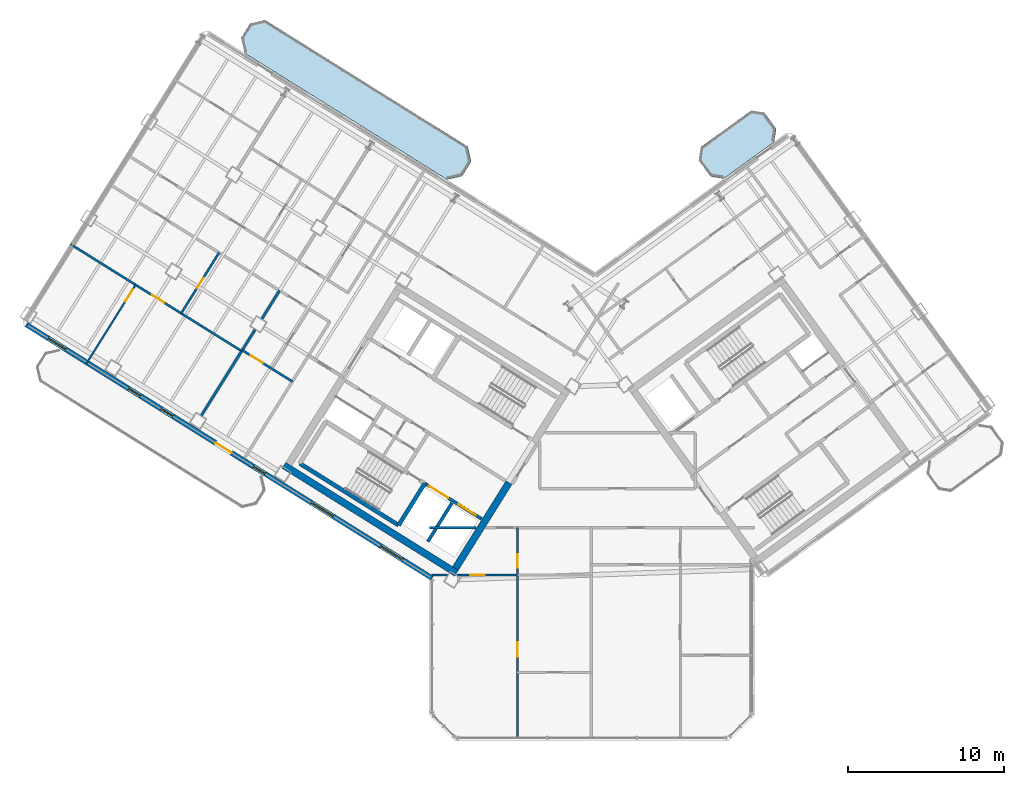
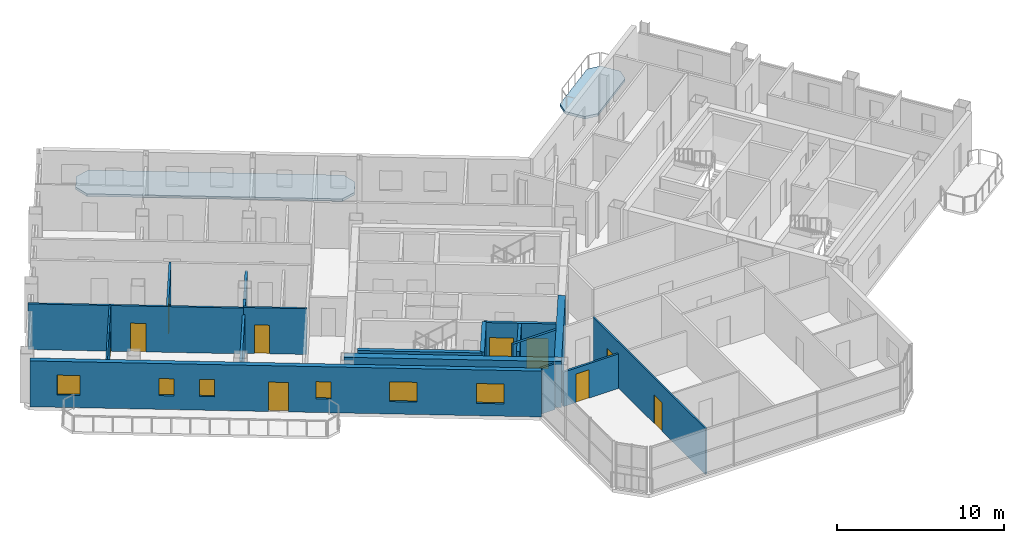
# One storey, part 11 of 21: 17 walls, 10 doors, 6 windows, 2 slabs, 16 openings.
"""IFC4 building model written with IfcOpenShell, lengths in metres."""

from ifc_helpers import new_model, si_unit, direction, frame, frame_2d, origin, place, context, subcontext, project, spatial, polyline, rectangle, outline, extrude, source, transform, mapped, material, layer, layer_set, type_object, element, fill, save


model = new_model("IFC4")

# Units and contexts
model_context = context("Model", 3, precision=1e-05, world=origin(), true_north=direction((0.0, 1.0)))
body_context = subcontext(model_context, "Body", "Model", "MODEL_VIEW")
ifc_project = project(units=[si_unit("LENGTHUNIT", "METRE"), si_unit("AREAUNIT", "SQUARE_METRE"), si_unit("VOLUMEUNIT", "CUBIC_METRE"), si_unit("PLANEANGLEUNIT", "RADIAN"), si_unit("MASSUNIT", "GRAM", prefix="KILO")], contexts=[model_context])

# Site, building, storey
site_placement = place(None, origin())
site = spatial("IfcSite", under=ifc_project, at=site_placement, CompositionType="ELEMENT")
building_placement = place(site_placement, origin())
building = spatial("IfcBuilding", under=site, at=building_placement, Name="Tlacorven Tower", CompositionType="ELEMENT")
storey_placement = place(building_placement, frame((0.0, 0.0, 222.0)))
storey = spatial("IfcBuildingStorey", under=building, at=storey_placement, Name="L56", CompositionType="ELEMENT", Elevation=222.0)

# Slabs
ifc_material_1 = material(Name="Precast concrete C45/55", Category="concrete")
ifc_layer_1 = layer(ifc_material_1, 0.179931640625)
ifc_layer_set_1 = layer_set([ifc_layer_1], Name="Precast concrete C45/55")
slab_type = type_object("IfcSlabType", Name="SL-BAL-180", PredefinedType="USERDEFINED", material=ifc_layer_set_1)
slab_1_placement = place(storey_placement, frame((0.0, 0.0, -0.179931640625)))
element("IfcSlab", 1, at=slab_1_placement, inside=storey, type_object=slab_type, Name="L56 West Wing Balcony Ribbon IN", ObjectType="BALCONY SLAB", PredefinedType="USERDEFINED", context=body_context, shape_type="SweptSolid", body=[
    extrude(outline(polyline([(34.0419921875, 39.835693359375), (21.06689453125, 47.943359375), (20.102294921875, 47.720703125), (19.52197265625, 46.7919921875), (19.744873046875, 45.827392578125), (32.719970703125, 37.7197265625), (33.6845703125, 37.9423828125), (34.2646484375, 38.87109375), (34.0419921875, 39.835693359375)])), origin(), (0.0, 0.0, 1.0), 0.179931640625),
])
slab_2_placement = place(storey_placement, frame((0.0, 0.0, -0.179931640625)))
element("IfcSlab", 2, at=slab_2_placement, inside=storey, type_object=slab_type, Name="L56 East Wing Balcony Ribbon IN", ObjectType="BALCONY SLAB", PredefinedType="USERDEFINED", context=body_context, shape_type="SweptSolid", body=[
    extrude(outline(polyline([(50.433837890625, 37.77880859375), (53.669921875, 40.1298828125), (53.802490234375, 40.968017578125), (53.04150390625, 42.015625), (52.203369140625, 42.1484375), (48.96728515625, 39.79736328125), (48.83447265625, 38.959228515625), (49.595703125, 37.91162109375), (50.433837890625, 37.77880859375)])), origin(), (0.0, 0.0, 1.0), 0.179931640625),
])

# Walls
ifc_material_2 = material(Name="Concrete C50/60", Category="concrete")
ifc_layer_2 = layer(ifc_material_2, 0.449951171875)
ifc_layer_set_2 = layer_set([ifc_layer_2], Name="Concrete C50/60")
wall_type_1 = type_object("IfcWallType", Name="WL-COR-450", PredefinedType="SHEAR", material=ifc_layer_set_2)
wall_1_placement = place(storey_placement, frame((33.32373046875, 12.5029296875, 0.0), z_axis=(0.0, 0.0, 1.0), x_axis=(-0.848043529849, 0.529926571782, 0.0)))
element("IfcWall", 3, at=wall_1_placement, inside=storey, type_object=wall_type_1, Name="L56 W core shear wall S2", PredefinedType="SHEAR", context=body_context, shape_type="SweptSolid", body=[
    extrude(rectangle(XDim=13.039794921875, YDim=0.449951171875, at=frame_2d((6.52001953125, 0.0))), origin(), (0.0, 0.0, 1.0), 3.35009765625),
])
wall_2_placement = place(storey_placement, frame((36.683349609375, 18.30419921875, 0.0), z_axis=(0.0, 0.0, 1.0), x_axis=(-0.529904039071, -0.848057609704, 0.0)))
element("IfcWall", 4, at=wall_2_placement, inside=storey, type_object=wall_type_1, Name="L56 W core end wall E1.2", PredefinedType="SHEAR", context=body_context, shape_type="SweptSolid", body=[
    extrude(rectangle(XDim=6.47509765625, YDim=0.449951171875, at=frame_2d((3.237548828125, 0.0))), origin(), (0.0, 0.0, 1.0), 3.35009765625),
])
ifc_material_3 = material(Name="Gypsum plasterboard acoustic partition", Category="gypsum")
ifc_layer_3 = layer(ifc_material_3, 0.159912109375)
ifc_layer_set_3 = layer_set([ifc_layer_3], Name="Gypsum plasterboard acoustic partition")
wall_type_2 = type_object("IfcWallType", Name="WL-DEM-160", PredefinedType="PARTITIONING", material=ifc_layer_set_3)
wall_3_placement = place(storey_placement, frame((21.9833984375, 30.614501953125, 0.0), z_axis=(0.0, 0.0, 1.0), x_axis=(-0.529978410432, -0.848011134641, 0.0)))
element("IfcWall", 5, at=wall_3_placement, inside=storey, type_object=wall_type_2, Name="L56 WN Demising Wall 1", PredefinedType="PARTITIONING", context=body_context, shape_type="SweptSolid", body=[
    extrude(rectangle(XDim=2.137939453125, YDim=0.159912109375, at=frame_2d((1.06884765625, 0.0))), origin(), (0.0, 0.0, 1.0), 2.824951171875),
])
wall_4_placement = place(storey_placement, frame((20.413818359375, 28.102783203125, 0.0), z_axis=(0.0, 0.0, 1.0), x_axis=(-0.529934553702, -0.848038542045, 0.0)))
element("IfcWall", 6, at=wall_4_placement, inside=storey, type_object=wall_type_2, Name="L56 WN Demising Wall 1", PredefinedType="PARTITIONING", context=body_context, shape_type="SweptSolid", body=[
    extrude(rectangle(XDim=6.47607421875, YDim=0.159912109375, at=frame_2d((3.238037109375, 0.0))), origin(), (0.0, 0.0, 1.0), 2.824951171875),
])
wall_5_placement = place(storey_placement, frame((31.60009765625, 15.419921875, 0.0), z_axis=(0.0, 0.0, 1.0), x_axis=(1.0, 0.0, 0.0)))
element("IfcWall", 7, at=wall_5_placement, inside=storey, type_object=wall_type_2, Name="L56 Knuckle Corridor South Wall", PredefinedType="PARTITIONING", context=body_context, shape_type="SweptSolid", body=[
    extrude(rectangle(XDim=2.984130859375, YDim=0.159912109375, at=frame_2d((1.4921875, 0.0))), origin(), (0.0, 0.0, 1.0), 3.340087890625),
])

# Wall, openings, door, windows
ifc_layer_4 = layer(ifc_material_1, 0.320068359375)
ifc_layer_set_4 = layer_set([ifc_layer_4], Name="Precast concrete C45/55")
wall_type_3 = type_object("IfcWallType", Name="WL-EXT-320", PredefinedType="STANDARD", material=ifc_layer_set_4)
wall_6_placement = place(storey_placement, frame((31.760009765625, 12.18310546875, 0.0), z_axis=(0.0, 0.0, 1.0), x_axis=(-0.848047074256, 0.529920899612, 0.0)))
wall_6 = element("IfcWall", 8, at=wall_6_placement, inside=storey, type_object=wall_type_3, Name="L56 Masonry-Frame Recessed Facade Wall 1", PredefinedType="STANDARD", context=body_context, shape_type="SweptSolid", body=[
    extrude(rectangle(XDim=30.652099609375, YDim=0.320068359375, at=frame_2d((15.326171875, 0.0))), origin(), (0.0, 0.0, 1.0), 3.35009765625),
])
opening_1_placement = place(wall_6_placement, frame((15.165771484375, 0.0, 0.0)))
opening_1 = element("IfcOpeningElement", 9, at=opening_1_placement, cuts=wall_6, Name="Opening D05", PredefinedType="OPENING", context=body_context, shape_type="SweptSolid", body=[
    extrude(rectangle(XDim=1.199951171875, YDim=2.14990234375, at=frame_2d((0.60009765625, 1.074951171875))), frame((0.0, 0.169921875, 0.0), z_axis=(0.0, -1.0, 0.0), x_axis=(1.0, 0.0, 0.0)), (0.0, 0.0, 1.0), 0.340087890625),
])
opening_2_placement = place(wall_6_placement, frame((2.239501953125, 0.0, 0.89990234375)))
opening_2 = element("IfcOpeningElement", 10, at=opening_2_placement, cuts=wall_6, Name="Opening WN07", PredefinedType="OPENING", context=body_context, shape_type="SweptSolid", body=[
    extrude(rectangle(XDim=1.64990234375, YDim=1.449951171875, at=frame_2d((0.824951171875, 0.72509765625))), frame((0.0, 0.169921875, 0.0), z_axis=(0.0, -1.0, 0.0), x_axis=(1.0, 0.0, 0.0)), (0.0, 0.0, 1.0), 0.340087890625),
])
opening_3_placement = place(wall_6_placement, frame((7.46875, 0.0, 0.89990234375)))
opening_3 = element("IfcOpeningElement", 11, at=opening_3_placement, cuts=wall_6, Name="Opening WN07", PredefinedType="OPENING", context=body_context, shape_type="SweptSolid", body=[
    extrude(rectangle(XDim=1.64990234375, YDim=1.449951171875, at=frame_2d((0.824951171875, 0.72509765625))), frame((0.0, 0.169921875, 0.0), z_axis=(0.0, -1.0, 0.0), x_axis=(1.0, 0.0, 0.0)), (0.0, 0.0, 1.0), 0.340087890625),
])
opening_4_placement = place(wall_6_placement, frame((12.623291015625, 0.0, 1.0)))
opening_4 = element("IfcOpeningElement", 12, at=opening_4_placement, cuts=wall_6, Name="Opening WN05", PredefinedType="OPENING", context=body_context, shape_type="SweptSolid", body=[
    extrude(rectangle(XDim=0.89990234375, YDim=1.25, at=frame_2d((0.449951171875, 0.625))), frame((0.0, 0.169921875, 0.0), z_axis=(0.0, -1.0, 0.0), x_axis=(1.0, 0.0, 0.0)), (0.0, 0.0, 1.0), 0.340087890625),
])
opening_5_placement = place(wall_6_placement, frame((19.583251953125, 0.0, 1.0)))
opening_5 = element("IfcOpeningElement", 13, at=opening_5_placement, cuts=wall_6, Name="Opening WN05", PredefinedType="OPENING", context=body_context, shape_type="SweptSolid", body=[
    extrude(rectangle(XDim=0.89990234375, YDim=1.25, at=frame_2d((0.449951171875, 0.625))), frame((0.0, 0.169921875, 0.0), z_axis=(0.0, -1.0, 0.0), x_axis=(1.0, 0.0, 0.0)), (0.0, 0.0, 1.0), 0.340087890625),
])
opening_6_placement = place(wall_6_placement, frame((22.033203125, 0.0, 1.0)))
opening_6 = element("IfcOpeningElement", 14, at=opening_6_placement, cuts=wall_6, Name="Opening WN05", PredefinedType="OPENING", context=body_context, shape_type="SweptSolid", body=[
    extrude(rectangle(XDim=0.89990234375, YDim=1.25, at=frame_2d((0.449951171875, 0.625))), frame((0.0, 0.169921875, 0.0), z_axis=(0.0, -1.0, 0.0), x_axis=(1.0, 0.0, 0.0)), (0.0, 0.0, 1.0), 0.340087890625),
])
opening_7_placement = place(wall_6_placement, frame((27.665771484375, 0.0, 0.89990234375)))
opening_7 = element("IfcOpeningElement", 15, at=opening_7_placement, cuts=wall_6, Name="Opening WN08", PredefinedType="OPENING", context=body_context, shape_type="SweptSolid", body=[
    extrude(rectangle(XDim=1.35009765625, YDim=1.449951171875, at=frame_2d((0.675048828125, 0.72509765625))), frame((0.0, 0.169921875, 0.0), z_axis=(0.0, -1.0, 0.0), x_axis=(1.0, 0.0, 0.0)), (0.0, 0.0, 1.0), 0.340087890625),
])
ifc_material_4 = material(Name="Powder-coated aluminium and timber door", Category="wood")
door_type_1 = type_object("IfcDoorType", Name="DR-EXT-BALC-1200", OperationType="NOTDEFINED", PredefinedType="DOOR", material=ifc_material_4)
shared_shape_1 = source(origin(), body_context, "Body", "SweptSolid", [
    extrude(rectangle(XDim=1.199951171875, YDim=2.14990234375, at=frame_2d((0.60009765625, 1.074951171875))), frame((0.0, 0.02490234375, 0.0), z_axis=(0.0, -1.0, 0.0), x_axis=(1.0, 0.0, 0.0)), (0.0, 0.0, 1.0), 0.050048828125),
])
door_1_placement = place(opening_1_placement, origin())
door_1 = element("IfcDoor", 16, at=door_1_placement, inside=storey, type_object=door_type_1, Name="L56 Outdoor Access Door BAL-L56-W-OUT", OperationType="SINGLE_SWING_LEFT", OverallHeight=2.14990234375, OverallWidth=1.199951171875, PredefinedType="DOOR", context=body_context, shape_type="MappedRepresentation", body=[
    mapped(shared_shape_1, transform((0.0, 0.0, 0.0), scale=1.0)),
])
fill(opening_1, door_1)
ifc_material_5 = material(Name="Dark solar low-E double glazing in anodised aluminium frame", Category="aluminium")
window_type_1 = type_object("IfcWindowType", Name="WN-APT-0900X1350", PartitioningType="SINGLE_PANEL", PredefinedType="WINDOW", material=ifc_material_5)
shared_shape_2 = source(origin(), body_context, "Body", "SweptSolid", [
    extrude(rectangle(XDim=0.89990234375, YDim=1.25, at=frame_2d((0.449951171875, 0.625))), frame((0.0, 0.030029296875, 0.0), z_axis=(0.0, -1.0, 0.0), x_axis=(1.0, 0.0, 0.0)), (0.0, 0.0, 1.0), 0.06005859375),
])
window_1_placement = place(opening_4_placement, origin())
window_1 = element("IfcWindow", 17, at=window_1_placement, inside=storey, type_object=window_type_1, Name="L56 Recessed Masonry-Frame Window L56-01.3", OverallHeight=1.25, OverallWidth=0.89990234375, PartitioningType="SINGLE_PANEL", PredefinedType="WINDOW", context=body_context, shape_type="MappedRepresentation", body=[
    mapped(shared_shape_2, transform((0.0, 0.0, 0.0), scale=1.0)),
])
fill(opening_4, window_1)
window_2_placement = place(opening_5_placement, origin())
window_2 = element("IfcWindow", 18, at=window_2_placement, inside=storey, type_object=window_type_1, Name="L56 Recessed Masonry-Frame Window L56-01.4", OverallHeight=1.25, OverallWidth=0.89990234375, PartitioningType="SINGLE_PANEL", PredefinedType="WINDOW", context=body_context, shape_type="MappedRepresentation", body=[
    mapped(shared_shape_2, transform((0.0, 0.0, 0.0), scale=1.0)),
])
fill(opening_5, window_2)
window_3_placement = place(opening_6_placement, origin())
window_3 = element("IfcWindow", 19, at=window_3_placement, inside=storey, type_object=window_type_1, Name="L56 Recessed Masonry-Frame Window L56-01.5", OverallHeight=1.25, OverallWidth=0.89990234375, PartitioningType="SINGLE_PANEL", PredefinedType="WINDOW", context=body_context, shape_type="MappedRepresentation", body=[
    mapped(shared_shape_2, transform((0.0, 0.0, 0.0), scale=1.0)),
])
fill(opening_6, window_3)
window_type_2 = type_object("IfcWindowType", Name="WN-APT-1650X1600", PartitioningType="SINGLE_PANEL", PredefinedType="WINDOW", material=ifc_material_5)
shared_shape_3 = source(origin(), body_context, "Body", "SweptSolid", [
    extrude(rectangle(XDim=1.64990234375, YDim=1.449951171875, at=frame_2d((0.824951171875, 0.72509765625))), frame((0.0, 0.030029296875, 0.0), z_axis=(0.0, -1.0, 0.0), x_axis=(1.0, 0.0, 0.0)), (0.0, 0.0, 1.0), 0.06005859375),
])
window_4_placement = place(opening_2_placement, origin())
window_4 = element("IfcWindow", 20, at=window_4_placement, inside=storey, type_object=window_type_2, Name="L56 Recessed Masonry-Frame Window L56-01.1", OverallHeight=1.449951171875, OverallWidth=1.64990234375, PartitioningType="SINGLE_PANEL", PredefinedType="WINDOW", context=body_context, shape_type="MappedRepresentation", body=[
    mapped(shared_shape_3, transform((0.0, 0.0, 0.0), scale=1.0)),
])
fill(opening_2, window_4)
window_5_placement = place(opening_3_placement, origin())
window_5 = element("IfcWindow", 21, at=window_5_placement, inside=storey, type_object=window_type_2, Name="L56 Recessed Masonry-Frame Window L56-01.2", OverallHeight=1.449951171875, OverallWidth=1.64990234375, PartitioningType="SINGLE_PANEL", PredefinedType="WINDOW", context=body_context, shape_type="MappedRepresentation", body=[
    mapped(shared_shape_3, transform((0.0, 0.0, 0.0), scale=1.0)),
])
fill(opening_3, window_5)
window_type_3 = type_object("IfcWindowType", Name="WN-APT-1350X1550", PartitioningType="SINGLE_PANEL", PredefinedType="WINDOW", material=ifc_material_5)
shared_shape_4 = source(origin(), body_context, "Body", "SweptSolid", [
    extrude(rectangle(XDim=1.35009765625, YDim=1.449951171875, at=frame_2d((0.675048828125, 0.72509765625))), frame((0.0, 0.030029296875, 0.0), z_axis=(0.0, -1.0, 0.0), x_axis=(1.0, 0.0, 0.0)), (0.0, 0.0, 1.0), 0.06005859375),
])
window_6_placement = place(opening_7_placement, origin())
window_6 = element("IfcWindow", 22, at=window_6_placement, inside=storey, type_object=window_type_3, Name="L56 Recessed Masonry-Frame Window L56-01.6", OverallHeight=1.449951171875, OverallWidth=1.35009765625, PartitioningType="SINGLE_PANEL", PredefinedType="WINDOW", context=body_context, shape_type="MappedRepresentation", body=[
    mapped(shared_shape_4, transform((0.0, 0.0, 0.0), scale=1.0)),
])
fill(opening_7, window_6)

# Wall, opening, door
ifc_material_6 = material(Name="Gypsum plasterboard partition", Category="gypsum")
ifc_layer_5 = layer(ifc_material_6, 0.110107421875)
ifc_layer_set_5 = layer_set([ifc_layer_5], Name="Gypsum plasterboard partition")
wall_type_4 = type_object("IfcWallType", Name="WL-INT-110", PredefinedType="PARTITIONING", material=ifc_layer_set_5)
wall_7_placement = place(storey_placement, frame((12.763427734375, 30.97509765625, 0.0), z_axis=(0.0, 0.0, 1.0), x_axis=(-0.529947646893, -0.848030360042, 0.0)))
wall_7 = element("IfcWall", 23, at=wall_7_placement, inside=storey, type_object=wall_type_4, Name="L56 partition 50", PredefinedType="PARTITIONING", context=body_context, shape_type="SweptSolid", body=[
    extrude(rectangle(XDim=5.98974609375, YDim=0.110107421875, at=frame_2d((2.994873046875, 0.0))), origin(), (0.0, 0.0, 1.0), 3.340087890625),
])
opening_8_placement = place(wall_7_placement, frame((0.35009765625, 0.0, 0.0)))
opening_8 = element("IfcOpeningElement", 24, at=opening_8_placement, cuts=wall_7, Name="Opening D12", PredefinedType="OPENING", context=body_context, shape_type="SweptSolid", body=[
    extrude(rectangle(XDim=0.919921875, YDim=2.080078125, at=frame_2d((0.4599609375, 1.0400390625))), frame((0.0, 0.06494140625, 0.0), z_axis=(0.0, -1.0, 0.0), x_axis=(1.0, 0.0, 0.0)), (0.0, 0.0, 1.0), 0.130126953125),
])
door_type_2 = type_object("IfcDoorType", Name="DR-INT-ROOM-0920", OperationType="NOTDEFINED", PredefinedType="DOOR", material=ifc_material_4)
shared_shape_5 = source(origin(), body_context, "Body", "SweptSolid", [
    extrude(rectangle(XDim=0.919921875, YDim=2.080078125, at=frame_2d((0.4599609375, 1.0400390625))), frame((0.0, 0.02490234375, 0.0), z_axis=(0.0, -1.0, 0.0), x_axis=(1.0, 0.0, 0.0)), (0.0, 0.0, 1.0), 0.050048828125),
])
door_2_placement = place(opening_8_placement, origin())
door_2 = element("IfcDoor", 25, at=door_2_placement, inside=storey, type_object=door_type_2, Name="L56 door 026", OperationType="SINGLE_SWING_LEFT", OverallHeight=2.080078125, OverallWidth=0.919921875, PredefinedType="DOOR", context=body_context, shape_type="MappedRepresentation", body=[
    mapped(shared_shape_5, transform((0.0, 0.0, 0.0), scale=1.0)),
])
fill(opening_8, door_2)

# Wall, openings, doors
wall_8_placement = place(storey_placement, frame((37.221923828125, 1.9599609375, 0.0), z_axis=(0.0, 0.0, 1.0), x_axis=(0.0, 1.0, 0.0)))
wall_8 = element("IfcWall", 26, at=wall_8_placement, inside=storey, type_object=wall_type_4, Name="L56 partition 69", PredefinedType="PARTITIONING", context=body_context, shape_type="SweptSolid", body=[
    extrude(rectangle(XDim=13.4599609375, YDim=0.110107421875, at=frame_2d((6.72998046875, 0.0))), origin(), (0.0, 0.0, 1.0), 3.340087890625),
])
opening_9_placement = place(wall_8_placement, frame((5.199951171875, 0.0, 0.0)))
opening_9 = element("IfcOpeningElement", 27, at=opening_9_placement, cuts=wall_8, Name="Opening D12", PredefinedType="OPENING", context=body_context, shape_type="SweptSolid", body=[
    extrude(rectangle(XDim=0.919921875, YDim=2.080078125, at=frame_2d((0.4599609375, 1.0400390625))), frame((0.0, 0.06494140625, 0.0), z_axis=(0.0, -1.0, 0.0), x_axis=(1.0, 0.0, 0.0)), (0.0, 0.0, 1.0), 0.130126953125),
])
opening_10_placement = place(wall_8_placement, frame((10.889892578125, 0.0, 0.0)))
opening_10 = element("IfcOpeningElement", 28, at=opening_10_placement, cuts=wall_8, Name="Opening D13", PredefinedType="OPENING", context=body_context, shape_type="SweptSolid", body=[
    extrude(rectangle(XDim=0.8798828125, YDim=2.080078125, at=frame_2d((0.43994140625, 1.0400390625))), frame((0.0, 0.06494140625, 0.0), z_axis=(0.0, -1.0, 0.0), x_axis=(1.0, 0.0, 0.0)), (0.0, 0.0, 1.0), 0.130126953125),
])
door_type_3 = type_object("IfcDoorType", Name="DR-INT-WET-0880", OperationType="NOTDEFINED", PredefinedType="DOOR", material=ifc_material_4)
shared_shape_6 = source(origin(), body_context, "Body", "SweptSolid", [
    extrude(rectangle(XDim=0.8798828125, YDim=2.080078125, at=frame_2d((0.43994140625, 1.0400390625))), frame((0.0, 0.02490234375, 0.0), z_axis=(0.0, -1.0, 0.0), x_axis=(1.0, 0.0, 0.0)), (0.0, 0.0, 1.0), 0.050048828125),
])
door_3_placement = place(opening_10_placement, origin())
door_3 = element("IfcDoor", 29, at=door_3_placement, inside=storey, type_object=door_type_3, Name="L56 door 047", OperationType="SINGLE_SWING_RIGHT", OverallHeight=2.080078125, OverallWidth=0.8798828125, PredefinedType="DOOR", context=body_context, shape_type="MappedRepresentation", body=[
    mapped(shared_shape_6, transform((0.0, 0.0, 0.0), scale=1.0)),
])
fill(opening_10, door_3)
door_4_placement = place(opening_9_placement, origin())
door_4 = element("IfcDoor", 30, at=door_4_placement, inside=storey, type_object=door_type_2, Name="L56 door 043", OperationType="SINGLE_SWING_RIGHT", OverallHeight=2.080078125, OverallWidth=0.919921875, PredefinedType="DOOR", context=body_context, shape_type="MappedRepresentation", body=[
    mapped(shared_shape_5, transform((0.0, 0.0, 0.0), scale=1.0)),
])
fill(opening_9, door_4)

# Wall, opening, door
ifc_material_7 = material(Name="Moisture-resistant gypsum plumbing wall", Category="gypsum")
ifc_layer_6 = layer(ifc_material_7, 0.139892578125)
ifc_layer_set_6 = layer_set([ifc_layer_6], Name="Moisture-resistant gypsum plumbing wall")
wall_type_5 = type_object("IfcWallType", Name="WL-PLM-140", PredefinedType="PLUMBINGWALL", material=ifc_layer_set_6)
wall_9_placement = place(storey_placement, frame((22.807373046875, 24.781494140625, 0.0), z_axis=(0.0, 0.0, 1.0), x_axis=(-0.84803087207, 0.529946827537, 0.0)))
wall_9 = element("IfcWall", 31, at=wall_9_placement, inside=storey, type_object=wall_type_5, Name="L56 partition 46", PredefinedType="PLUMBINGWALL", context=body_context, shape_type="SweptSolid", body=[
    extrude(rectangle(XDim=3.7900390625, YDim=0.139892578125, at=frame_2d((1.89501953125, 0.0))), origin(), (0.0, 0.0, 1.0), 3.340087890625),
])
opening_11_placement = place(wall_9_placement, frame((2.22998046875, 0.0, 0.0)))
opening_11 = element("IfcOpeningElement", 32, at=opening_11_placement, cuts=wall_9, Name="Opening D12", PredefinedType="OPENING", context=body_context, shape_type="SweptSolid", body=[
    extrude(rectangle(XDim=0.919921875, YDim=2.080078125, at=frame_2d((0.4599609375, 1.0400390625))), frame((0.0, 0.080078125, 0.0), z_axis=(0.0, -1.0, 0.0), x_axis=(1.0, 0.0, 0.0)), (0.0, 0.0, 1.0), 0.159912109375),
])
door_5_placement = place(opening_11_placement, origin())
door_5 = element("IfcDoor", 33, at=door_5_placement, inside=storey, type_object=door_type_2, Name="L56 door 024", OperationType="SINGLE_SWING_LEFT", OverallHeight=2.080078125, OverallWidth=0.919921875, PredefinedType="DOOR", context=body_context, shape_type="MappedRepresentation", body=[
    mapped(shared_shape_5, transform((0.0, 0.0, 0.0), scale=1.0)),
])
fill(opening_11, door_5)

wall_10_placement = place(storey_placement, frame((19.556396484375, 26.73046875, 0.0), z_axis=(0.0, 0.0, 1.0), x_axis=(-0.848043949058, 0.52992590092, 0.0)))
wall_10 = element("IfcWall", 34, at=wall_10_placement, inside=storey, type_object=wall_type_5, Name="L56 partition 48", PredefinedType="PLUMBINGWALL", context=body_context, shape_type="SweptSolid", body=[
    extrude(rectangle(XDim=12.920166015625, YDim=0.139892578125, at=frame_2d((6.4599609375, 0.0))), origin(), (0.0, 0.0, 1.0), 3.340087890625),
])
opening_12_placement = place(wall_10_placement, frame((5.84912109375, 0.0, 0.0)))
opening_12 = element("IfcOpeningElement", 35, at=opening_12_placement, cuts=wall_10, Name="Opening D12", PredefinedType="OPENING", context=body_context, shape_type="SweptSolid", body=[
    extrude(rectangle(XDim=0.919921875, YDim=2.080078125, at=frame_2d((0.4599609375, 1.0400390625))), frame((0.0, 0.080078125, 0.0), z_axis=(0.0, -1.0, 0.0), x_axis=(1.0, 0.0, 0.0)), (0.0, 0.0, 1.0), 0.159912109375),
])
door_6_placement = place(opening_12_placement, origin())
door_6 = element("IfcDoor", 36, at=door_6_placement, inside=storey, type_object=door_type_2, Name="L56 door 028", OperationType="SINGLE_SWING_LEFT", OverallHeight=2.080078125, OverallWidth=0.919921875, PredefinedType="DOOR", context=body_context, shape_type="MappedRepresentation", body=[
    mapped(shared_shape_5, transform((0.0, 0.0, 0.0), scale=1.0)),
])
fill(opening_12, door_6)

wall_11_placement = place(storey_placement, frame((18.109375, 33.035400390625, 0.0), z_axis=(0.0, 0.0, 1.0), x_axis=(-0.529893526057, -0.848064178611, 0.0)))
wall_11 = element("IfcWall", 37, at=wall_11_placement, inside=storey, type_object=wall_type_5, Name="L56 partition 49", PredefinedType="PLUMBINGWALL", context=body_context, shape_type="SweptSolid", body=[
    extrude(rectangle(XDim=4.580078125, YDim=0.139892578125, at=frame_2d((2.2900390625, 0.0))), origin(), (0.0, 0.0, 1.0), 3.340087890625),
])
opening_13_placement = place(wall_11_placement, frame((1.89990234375, 0.0, 0.0)))
opening_13 = element("IfcOpeningElement", 38, at=opening_13_placement, cuts=wall_11, Name="Opening D22", PredefinedType="OPENING", context=body_context, shape_type="SweptSolid", body=[
    extrude(rectangle(XDim=0.780029296875, YDim=2.050048828125, at=frame_2d((0.39013671875, 1.02490234375))), frame((0.0, 0.080078125, 0.0), z_axis=(0.0, -1.0, 0.0), x_axis=(1.0, 0.0, 0.0)), (0.0, 0.0, 1.0), 0.159912109375),
])
door_type_4 = type_object("IfcDoorType", Name="DR-INT-WET-0780", OperationType="NOTDEFINED", PredefinedType="DOOR", material=ifc_material_4)
shared_shape_7 = source(origin(), body_context, "Body", "SweptSolid", [
    extrude(rectangle(XDim=0.780029296875, YDim=2.050048828125, at=frame_2d((0.39013671875, 1.02490234375))), frame((0.0, 0.02490234375, 0.0), z_axis=(0.0, -1.0, 0.0), x_axis=(1.0, 0.0, 0.0)), (0.0, 0.0, 1.0), 0.050048828125),
])
door_7_placement = place(opening_13_placement, origin())
door_7 = element("IfcDoor", 39, at=door_7_placement, inside=storey, type_object=door_type_4, Name="L56 door 029", OperationType="SINGLE_SWING_RIGHT", OverallHeight=2.050048828125, OverallWidth=0.780029296875, PredefinedType="DOOR", context=body_context, shape_type="MappedRepresentation", body=[
    mapped(shared_shape_7, transform((0.0, 0.0, 0.0), scale=1.0)),
])
fill(opening_13, door_7)

# Wall
wall_12_placement = place(storey_placement, frame((31.739990234375, 12.389892578125, 0.0), z_axis=(0.0, 0.0, 1.0), x_axis=(1.0, 0.0, 0.0)))
element("IfcWall", 40, at=wall_12_placement, inside=storey, type_object=wall_type_5, Name="L56 partition 70", PredefinedType="PLUMBINGWALL", context=body_context, shape_type="SweptSolid", body=[
    extrude(rectangle(XDim=1.009765625, YDim=0.139892578125, at=frame_2d((0.5048828125, 0.0))), origin(), (0.0, 0.0, 1.0), 3.340087890625),
])

# Wall, opening, door
wall_13_placement = place(storey_placement, frame((33.338623046875, 12.389892578125, 0.0), z_axis=(0.0, 0.0, 1.0), x_axis=(1.0, 0.0, 0.0)))
wall_13 = element("IfcWall", 41, at=wall_13_placement, inside=storey, type_object=wall_type_5, Name="L56 partition 70", PredefinedType="PLUMBINGWALL", context=body_context, shape_type="SweptSolid", body=[
    extrude(rectangle(XDim=3.88330078125, YDim=0.139892578125, at=frame_2d((1.941650390625, 0.0))), origin(), (0.0, 0.0, 1.0), 2.52490234375),
])
opening_14_placement = place(wall_13_placement, frame((0.862548828125, 0.0, 0.0)))
opening_14 = element("IfcOpeningElement", 42, at=opening_14_placement, cuts=wall_13, Name="Opening D12", PredefinedType="OPENING", context=body_context, shape_type="SweptSolid", body=[
    extrude(rectangle(XDim=0.919921875, YDim=2.080078125, at=frame_2d((0.4599609375, 1.0400390625))), frame((0.0, 0.080078125, 0.0), z_axis=(0.0, -1.0, 0.0), x_axis=(1.0, 0.0, 0.0)), (0.0, 0.0, 1.0), 0.159912109375),
])
door_8_placement = place(opening_14_placement, frame((0.919921875, 0.0, 0.0), z_axis=(0.0, 0.0, 1.0), x_axis=(-1.0, 0.0, 0.0)))
door_8 = element("IfcDoor", 43, at=door_8_placement, inside=storey, type_object=door_type_2, Name="L56 door 046", OperationType="SINGLE_SWING_RIGHT", OverallHeight=2.080078125, OverallWidth=0.919921875, PredefinedType="DOOR", context=body_context, shape_type="MappedRepresentation", body=[
    mapped(shared_shape_5, transform((0.0, 0.0, 0.0), scale=1.0)),
])
fill(opening_14, door_8)

# Wall, openings, doors
ifc_material_8 = material(Name="Concrete C40/50", Category="concrete")
ifc_layer_7 = layer(ifc_material_8, 0.199951171875)
ifc_layer_set_7 = layer_set([ifc_layer_7], Name="Concrete C40/50")
wall_type_6 = type_object("IfcWallType", Name="WL-SHF-200", PredefinedType="STANDARD", material=ifc_layer_set_7)
wall_14_placement = place(storey_placement, frame((34.93310546875, 15.978271484375, 0.0), z_axis=(0.0, 0.0, 1.0), x_axis=(-0.848055739377, 0.529907032327, 0.0)))
wall_14 = element("IfcWall", 44, at=wall_14_placement, inside=storey, type_object=wall_type_6, Name="L56 Core W Firefighting Lift Shaft Front Wall", PredefinedType="STANDARD", context=body_context, shape_type="SweptSolid", body=[
    extrude(rectangle(XDim=4.298095703125, YDim=0.199951171875, at=frame_2d((2.14892578125, 0.0))), origin(), (0.0, 0.0, 1.0), 3.340087890625),
])
opening_15_placement = place(wall_14_placement, frame((0.447998046875, 0.0, 0.0)))
opening_15 = element("IfcOpeningElement", 45, at=opening_15_placement, cuts=wall_14, Name="Opening LD03", PredefinedType="OPENING", context=body_context, shape_type="SweptSolid", body=[
    extrude(rectangle(XDim=1.300048828125, YDim=2.199951171875, at=frame_2d((0.64990234375, 1.10009765625))), frame((0.0, 0.10986328125, 0.0), z_axis=(0.0, -1.0, 0.0), x_axis=(1.0, 0.0, 0.0)), (0.0, 0.0, 1.0), 0.219970703125),
])
opening_16_placement = place(wall_14_placement, frame((2.52294921875, 0.0, 0.0)))
opening_16 = element("IfcOpeningElement", 46, at=opening_16_placement, cuts=wall_14, Name="Opening LD04", PredefinedType="OPENING", context=body_context, shape_type="SweptSolid", body=[
    extrude(rectangle(XDim=1.449951171875, YDim=2.25, at=frame_2d((0.72509765625, 1.125))), frame((0.0, 0.10986328125, 0.0), z_axis=(0.0, -1.0, 0.0), x_axis=(1.0, 0.0, 0.0)), (0.0, 0.0, 1.0), 0.219970703125),
])
ifc_material_9 = material(Name="Fire-rated steel door assembly", Category="steel")
door_type_5 = type_object("IfcDoorType", Name="DR-LFT-SLID-1300", OperationType="DOUBLE_DOOR_SLIDING", PredefinedType="DOOR", material=ifc_material_9)
shared_shape_8 = source(origin(), body_context, "Body", "SweptSolid", [
    extrude(rectangle(XDim=1.300048828125, YDim=2.199951171875, at=frame_2d((0.64990234375, 1.10009765625))), frame((0.0, 0.02490234375, 0.0), z_axis=(0.0, -1.0, 0.0), x_axis=(1.0, 0.0, 0.0)), (0.0, 0.0, 1.0), 0.050048828125),
])
door_9_placement = place(opening_15_placement, origin())
door_9 = element("IfcDoor", 47, at=door_9_placement, inside=storey, type_object=door_type_5, Name="L56 Lift FFL-W1 Sliding Landing Door", OperationType="DOUBLE_DOOR_SLIDING", OverallHeight=2.199951171875, OverallWidth=1.300048828125, PredefinedType="DOOR", context=body_context, shape_type="MappedRepresentation", body=[
    mapped(shared_shape_8, transform((0.0, 0.0, 0.0), scale=1.0)),
])
fill(opening_15, door_9)
door_type_6 = type_object("IfcDoorType", Name="DR-LFT-SLID-1450", OperationType="DOUBLE_DOOR_SLIDING", PredefinedType="DOOR", material=ifc_material_9)
shared_shape_9 = source(origin(), body_context, "Body", "SweptSolid", [
    extrude(rectangle(XDim=1.449951171875, YDim=2.25, at=frame_2d((0.72509765625, 1.125))), frame((0.0, 0.02490234375, 0.0), z_axis=(0.0, -1.0, 0.0), x_axis=(1.0, 0.0, 0.0)), (0.0, 0.0, 1.0), 0.050048828125),
])
door_10_placement = place(opening_16_placement, origin())
door_10 = element("IfcDoor", 48, at=door_10_placement, inside=storey, type_object=door_type_6, Name="L56 Lift SVL-W1 Sliding Landing Door", OperationType="DOUBLE_DOOR_SLIDING", OverallHeight=2.25, OverallWidth=1.449951171875, PredefinedType="DOOR", context=body_context, shape_type="MappedRepresentation", body=[
    mapped(shared_shape_9, transform((0.0, 0.0, 0.0), scale=1.0)),
])
fill(opening_16, door_10)

# Walls
wall_15_placement = place(storey_placement, frame((33.02880859375, 17.003173828125, 0.0), z_axis=(0.0, 0.0, 1.0), x_axis=(-0.529916267533, -0.848049968695, 0.0)))
element("IfcWall", 49, at=wall_15_placement, inside=storey, type_object=wall_type_6, Name="L56 partition 11", PredefinedType="STANDARD", context=body_context, shape_type="SweptSolid", body=[
    extrude(rectangle(XDim=2.919921875, YDim=0.199951171875, at=frame_2d((1.4599609375, 0.0))), origin(), (0.0, 0.0, 1.0), 3.340087890625),
])
ifc_layer_8 = layer(ifc_material_2, 0.260009765625)
ifc_layer_set_8 = layer_set([ifc_layer_8], Name="Concrete C50/60")
wall_type_7 = type_object("IfcWallType", Name="WL-STW-260", PredefinedType="SHEAR", material=ifc_layer_set_8)
wall_16_placement = place(storey_placement, frame((29.60498046875, 15.581298828125, 0.0), z_axis=(0.0, 0.0, 1.0), x_axis=(-0.848036911448, 0.529937163087, 0.0)))
element("IfcWall", 50, at=wall_16_placement, inside=storey, type_object=wall_type_7, Name="L56 Stair W1 Far Shear Wall", PredefinedType="SHEAR", context=body_context, shape_type="SweptSolid", body=[
    extrude(rectangle(XDim=7.4599609375, YDim=0.260009765625, at=frame_2d((3.72998046875, 0.0))), origin(), (0.0, 0.0, 1.0), 3.35009765625),
])
wall_17_placement = place(storey_placement, frame((31.2880859375, 18.255859375, 0.0), z_axis=(0.0, 0.0, 1.0), x_axis=(-0.529943379326, -0.848033026897, 0.0)))
element("IfcWall", 51, at=wall_17_placement, inside=storey, type_object=wall_type_7, Name="L56 Stair W1 West Shear Wall", PredefinedType="SHEAR", context=body_context, shape_type="SweptSolid", body=[
    extrude(rectangle(XDim=3.159912109375, YDim=0.260009765625, at=frame_2d((1.580078125, 0.0))), origin(), (0.0, 0.0, 1.0), 3.35009765625),
])

save(model, "model.ifc")
